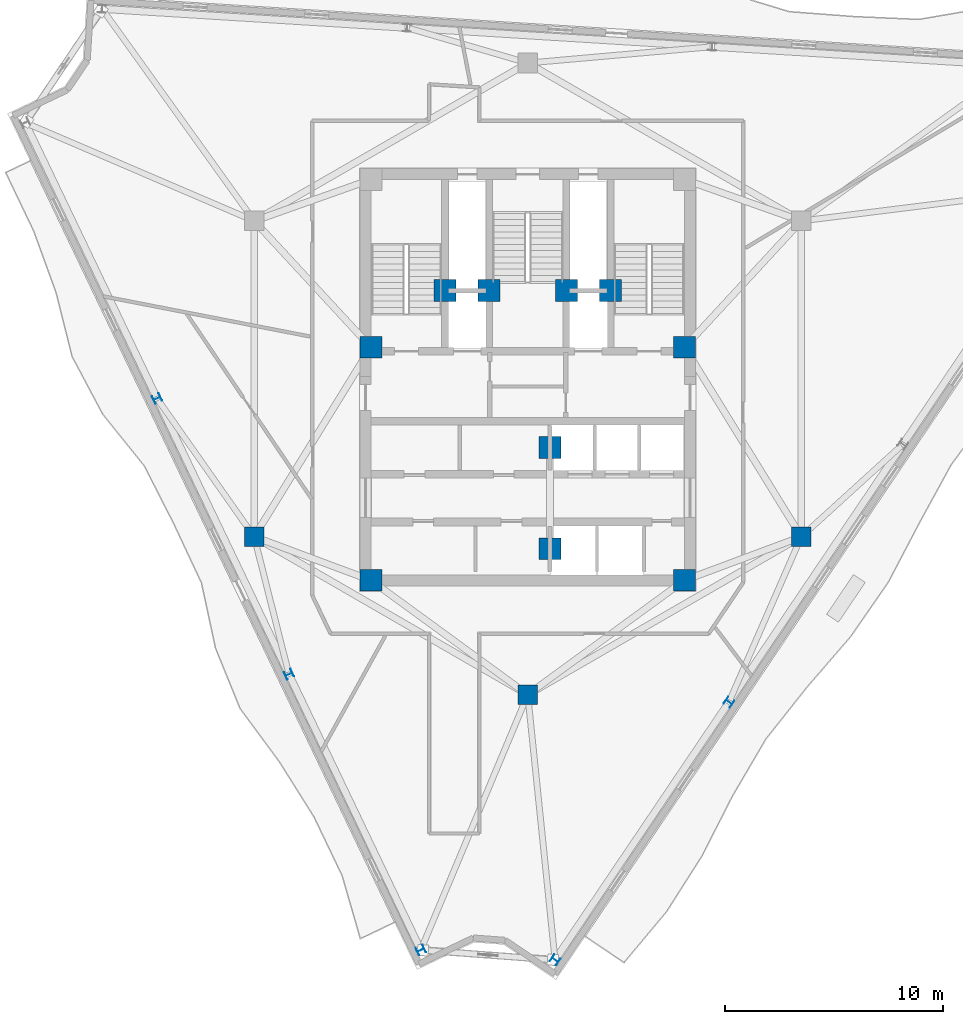
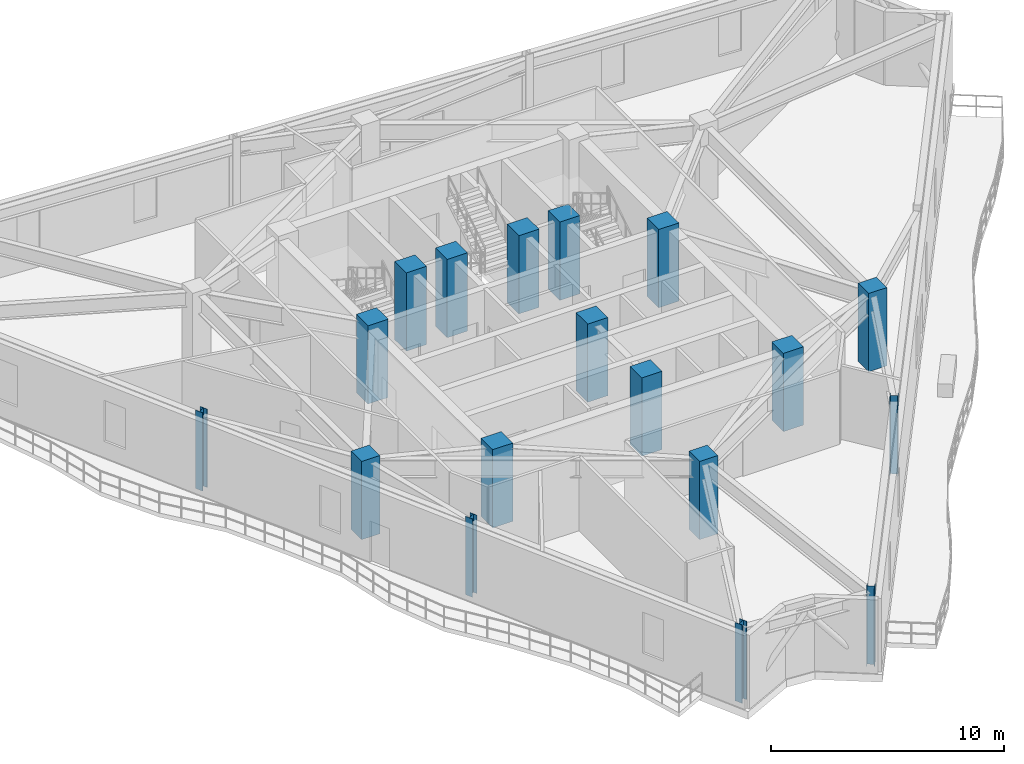
# One storey, part 1 of 11: 18 columns.
"""IFC4 building model written with IfcOpenShell, lengths in metres."""

from ifc_helpers import new_model, si_unit, direction, frame, origin, origin_2d, place, context, subcontext, project, spatial, rectangle, i_section, extrude, material, material_profile, profile_set, type_object, element, save


model = new_model("IFC4")

# Units and contexts
model_context = context("Model", 3, precision=1e-05, world=origin(), true_north=direction((0.0, 1.0)))
body_context = subcontext(model_context, "Body", "Model", "MODEL_VIEW")
ifc_project = project(units=[si_unit("LENGTHUNIT", "METRE"), si_unit("AREAUNIT", "SQUARE_METRE"), si_unit("VOLUMEUNIT", "CUBIC_METRE"), si_unit("PLANEANGLEUNIT", "RADIAN"), si_unit("MASSUNIT", "GRAM", prefix="KILO")], contexts=[model_context])

# Site, building, storey
site_placement = place(None, origin())
site = spatial("IfcSite", under=ifc_project, at=site_placement, CompositionType="ELEMENT")
building_placement = place(site_placement, origin())
building = spatial("IfcBuilding", under=site, at=building_placement, Name="Apsidion Concourse Tower", CompositionType="ELEMENT")
storey_placement = place(building_placement, frame((0.0, 0.0, 294.199951171875)))
storey = spatial("IfcBuildingStorey", under=building, at=storey_placement, Name="L69", CompositionType="ELEMENT", Elevation=294.199951171875)

# Columns
ifc_material_1 = material(Name="Concrete C50/60", Category="concrete")
ifc_material_profile_1 = material_profile(ifc_material_1, rectangle(XDim=1.0, YDim=1.0, at=origin_2d()), Name="RC 1000x1000")
ifc_profile_set_1 = profile_set([ifc_material_profile_1], Name="Concrete C50/60")
column_type_1 = type_object("IfcColumnType", Name="COL-RC-1000", PredefinedType="COLUMN", material=ifc_profile_set_1)
for number, where, z_axis, x_axis, name in (
    (1, (-7.199951171875, -9.25, 0.0), (0.0, 0.0, 1.0), (1.0, 0.0, 0.0), "L69 Core Super-Column SC1"),
    (2, (7.199951171875, -9.25, 0.0), (0.0, 0.0, 1.0), (1.0, 0.0, 0.0), "L69 Core Super-Column SC2"),
    (3, (7.199951171875, 1.449951171875, 0.0), (0.0, 0.0, 1.0), (1.0, 0.0, 0.0), "L69 Core Super-Column SC3"),
    (4, (-7.199951171875, 1.449951171875, 0.0), (0.0, 0.0, 1.0), (1.0, 0.0, 0.0), "L69 Core Super-Column SC6"),
    (5, (-3.800048828125, 4.050048828125, 0.0), (0.0, 0.0, 1.0), (1.0, 0.0, 0.0), "L69 Core Super-Column CC1"),
    (6, (3.800048828125, 4.050048828125, 0.0), (0.0, 0.0, 1.0), (1.0, 0.0, 0.0), "L69 Core Super-Column CC2"),
    (7, (-1.77490234375, 4.050048828125, 0.0), (0.0, 0.0, 1.0), (1.0, 0.0, 0.0), "L69 Core Super-Column CC3"),
    (8, (1.77490234375, 4.050048828125, 0.0), (0.0, 0.0, 1.0), (1.0, 0.0, 0.0), "L69 Core Super-Column CC4"),
    (9, (1.02490234375, -3.14990234375, 0.0), (0.0, 0.0, 1.0), (1.0, 0.0, 0.0), "L69 Core Super-Column CC5"),
    (10, (1.02490234375, -7.800048828125, 0.0), (0.0, 0.0, 1.0), (1.0, 0.0, 0.0), "L69 Core Super-Column CC6"),
):
    element("IfcColumn", number, at=place(storey_placement, frame(where, z_axis=z_axis, x_axis=x_axis)), inside=storey, type_object=column_type_1, Name=name, PredefinedType="COLUMN", context=body_context, shape_type="SweptSolid", body=[
        extrude(rectangle(XDim=1.0, YDim=1.0, at=origin_2d()), origin(), (0.0, 0.0, 1.0), 4.10009765625),
    ])
ifc_material_profile_2 = material_profile(ifc_material_1, rectangle(XDim=0.89990234375, YDim=0.89990234375, at=origin_2d()), Name="RC 900x900")
ifc_profile_set_2 = profile_set([ifc_material_profile_2], Name="Concrete C50/60")
column_type_2 = type_object("IfcColumnType", Name="COL-RC-900", PredefinedType="COLUMN", material=ifc_profile_set_2)
for number, where, z_axis, x_axis, name in (
    (11, (-12.56005859375, -7.25, 0.0), (0.0, 0.0, 1.0), (1.0, 0.0, 0.0), "L69 Interior Spine Column IC1"),
    (12, (12.56005859375, -7.25, 0.0), (0.0, 0.0, 1.0), (1.0, 0.0, 0.0), "L69 Interior Spine Column IC2"),
    (13, (0.0, -14.5, 0.0), (0.0, 0.0, 1.0), (1.0, 0.0, 0.0), "L69 Interior Spine Column IC6"),
):
    element("IfcColumn", number, at=place(storey_placement, frame(where, z_axis=z_axis, x_axis=x_axis)), inside=storey, type_object=column_type_2, Name=name, PredefinedType="COLUMN", context=body_context, shape_type="SweptSolid", body=[
        extrude(rectangle(XDim=0.89990234375, YDim=0.89990234375, at=origin_2d()), origin(), (0.0, 0.0, 1.0), 4.10009765625),
    ])
ifc_material_2 = material(Name="Structural steel ASTM A992 Grade 50", Category="steel")
ifc_material_profile_3 = material_profile(ifc_material_2, i_section(OverallWidth=0.367919921875, OverallDepth=0.35595703125, WebThickness=0.01123046875, FlangeThickness=0.01806640625, at=origin_2d()), Name="W14X90")
ifc_profile_set_3 = profile_set([ifc_material_profile_3], Name="Structural steel ASTM A992 Grade 50")
column_type_3 = type_object("IfcColumnType", Name="COL-W14-90", PredefinedType="COLUMN", material=ifc_profile_set_3)
for number, where, z_axis, x_axis, name in (
    (14, (-17.019287109375, -0.9033203125, 0.0), (0.0, 0.0, 1.0), (-0.431298587031, 0.902209248913, 0.0), "L69 Rotated Perimeter Column PC02"),
    (15, (-10.965576171875, -13.56494140625, 0.0), (0.0, 0.0, 1.0), (-0.431298587031, 0.902209248913, 0.0), "L69 Rotated Perimeter Column PC03"),
    (16, (-4.91162109375, -26.226806640625, 0.0), (0.0, 0.0, 1.0), (-0.431298587031, 0.902209248913, 0.0), "L69 Rotated Perimeter Column PC04"),
    (17, (1.25390625, -26.681884765625, 0.0), (0.0, 0.0, 1.0), (0.559192903471, 0.829037572555, 0.0), "L69 Rotated Perimeter Column PC05"),
    (18, (9.239013671875, -14.84375, 0.0), (0.0, 0.0, 1.0), (0.559192903471, 0.829037572555, 0.0), "L69 Rotated Perimeter Column PC06"),
):
    element("IfcColumn", number, at=place(storey_placement, frame(where, z_axis=z_axis, x_axis=x_axis)), inside=storey, type_object=column_type_3, Name=name, PredefinedType="COLUMN", context=body_context, shape_type="SweptSolid", body=[
        extrude(i_section(OverallWidth=0.367919921875, OverallDepth=0.35595703125, WebThickness=0.01123046875, FlangeThickness=0.01806640625, at=origin_2d()), origin(), (0.0, 0.0, 1.0), 4.10009765625),
    ])

save(model, "model.ifc")
